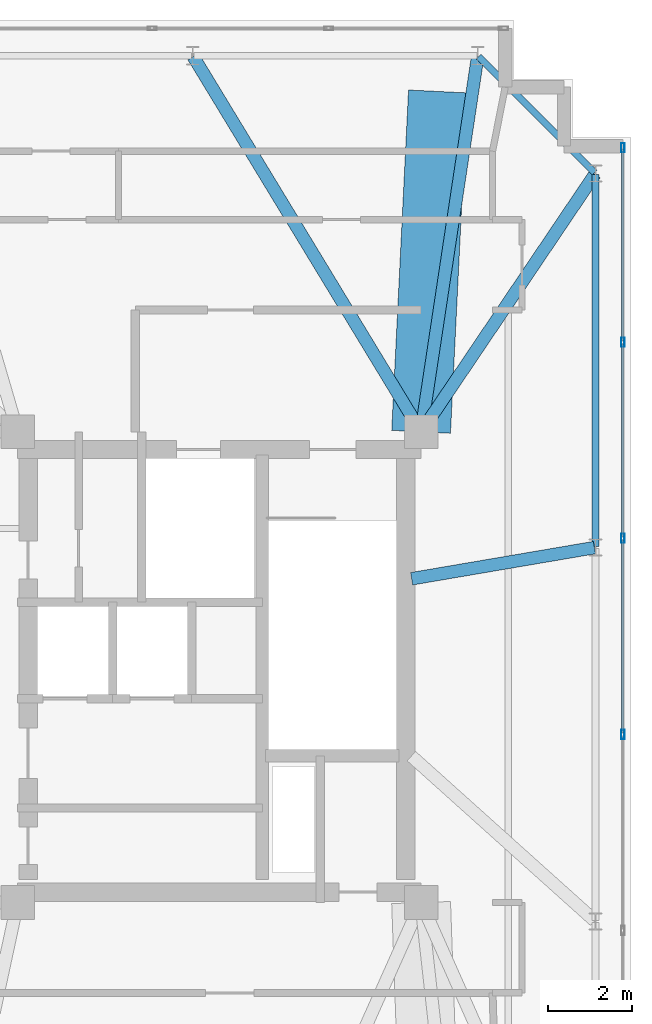
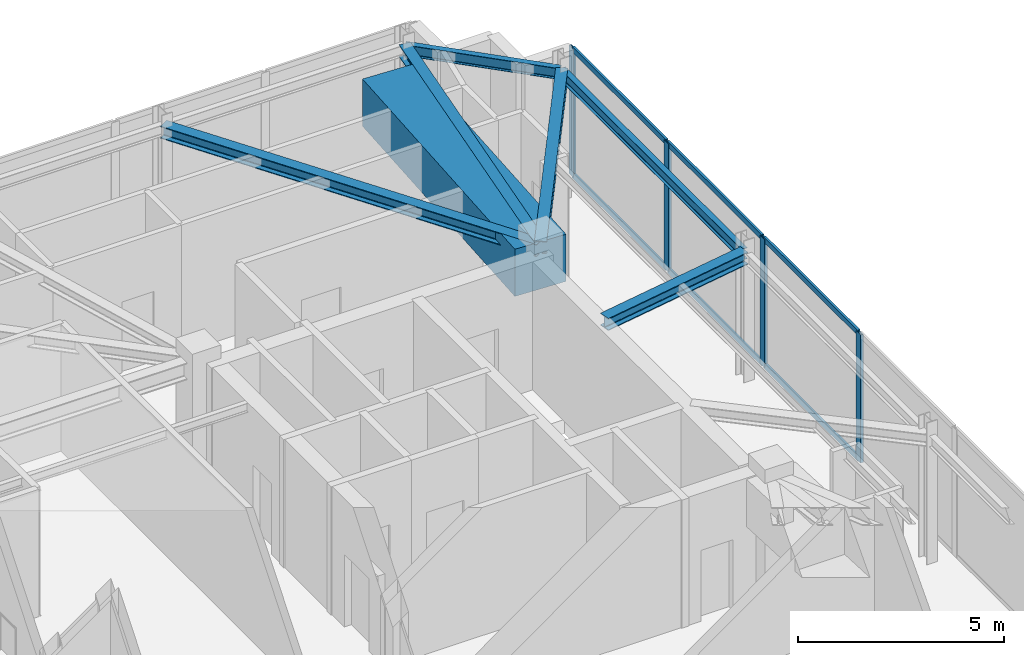
# One storey, part 17 of 27: 10 members, 7 beams, 1 element without a shape of its own.
"""IFC4 building model written with IfcOpenShell, lengths in metres."""

from ifc_helpers import new_model, si_unit, direction, frame, origin, origin_2d, place, context, subcontext, project, spatial, rectangle, hollow_rectangle, i_section, extrude, material, layer, layer_set, material_profile, profile_set, type_object, element, aggregate, save


model = new_model("IFC4")

# Units and contexts
model_context = context("Model", 3, precision=1e-05, world=origin(), true_north=direction((0.0, 1.0)))
body_context = subcontext(model_context, "Body", "Model", "MODEL_VIEW")
ifc_project = project(units=[si_unit("LENGTHUNIT", "METRE"), si_unit("AREAUNIT", "SQUARE_METRE"), si_unit("VOLUMEUNIT", "CUBIC_METRE"), si_unit("PLANEANGLEUNIT", "RADIAN"), si_unit("MASSUNIT", "GRAM", prefix="KILO")], contexts=[model_context])

# Site, building, storey
site_placement = place(None, origin())
site = spatial("IfcSite", under=ifc_project, at=site_placement, CompositionType="ELEMENT")
building_placement = place(site_placement, origin())
building = spatial("IfcBuilding", under=site, at=building_placement, Name="Qobustan Lattice House", CompositionType="ELEMENT")
storey_placement = place(building_placement, frame((0.0, 0.0, 266.0)))
storey = spatial("IfcBuildingStorey", under=building, at=storey_placement, Name="L75", CompositionType="ELEMENT", Elevation=266.0)

# Beams
ifc_material_1 = material(Name="Steel S355", Category="steel")
ifc_material_profile_1 = material_profile(ifc_material_1, i_section(OverallWidth=0.300048828125, OverallDepth=0.360107421875, WebThickness=0.012451171875, FlangeThickness=0.0224609375, FilletRadius=0.027099609375, at=origin_2d()), Name="HEB360")
ifc_profile_set_1 = profile_set([ifc_material_profile_1], Name="Steel S355")
beam_type_1 = type_object("IfcBeamType", Name="BM-FLG-HEB360", PredefinedType="USERDEFINED", material=ifc_profile_set_1)
beam_1_placement = place(storey_placement, frame((13.379638671875, 14.528564453125, 3.6201171875), z_axis=(0.518943895492, -0.854808302096, 0.0), x_axis=(0.854808302096, 0.518943895492, 0.0)))
element("IfcBeam", 1, at=beam_1_placement, inside=storey, type_object=beam_type_1, Name="L75 primary floor girder RAD-N2", ObjectType="GIRDER", PredefinedType="USERDEFINED", context=body_context, shape_type="SweptSolid", body=[
    extrude(i_section(OverallWidth=0.300048828125, OverallDepth=0.360107421875, WebThickness=0.012451171875, FlangeThickness=0.0224609375, FilletRadius=0.027099609375, at=origin_2d()), origin(), (0.0, 0.0, 1.0), 10.420166015625),
])
beam_2_placement = place(storey_placement, frame((20.146240234375, 14.525390625, 3.6201171875), z_axis=(-0.149148118249, -0.988814865798, 0.0), x_axis=(0.988814865798, -0.149148118249, 0.0)))
element("IfcBeam", 2, at=beam_2_placement, inside=storey, type_object=beam_type_1, Name="L75 primary floor girder RAD-N1E", ObjectType="GIRDER", PredefinedType="USERDEFINED", context=body_context, shape_type="SweptSolid", body=[
    extrude(i_section(OverallWidth=0.300048828125, OverallDepth=0.360107421875, WebThickness=0.012451171875, FlangeThickness=0.0224609375, FilletRadius=0.027099609375, at=origin_2d()), origin(), (0.0, 0.0, 1.0), 9.001220703125),
])
beam_3_placement = place(storey_placement, frame((22.93603515625, 11.729248046875, 3.6201171875), z_axis=(-0.559355068937, -0.828928167488, 0.0), x_axis=(0.828928167488, -0.559355068937, 0.0)))
element("IfcBeam", 3, at=beam_3_placement, inside=storey, type_object=beam_type_1, Name="L75 primary floor girder RAD-E4", ObjectType="GIRDER", PredefinedType="USERDEFINED", context=body_context, shape_type="SweptSolid", body=[
    extrude(i_section(OverallWidth=0.300048828125, OverallDepth=0.360107421875, WebThickness=0.012451171875, FlangeThickness=0.0224609375, FilletRadius=0.027099609375, at=origin_2d()), origin(), (0.0, 0.0, 1.0), 7.369384765625),
])
beam_4_placement = place(storey_placement, frame((22.92529296875, 2.845703125, 3.6201171875), z_axis=(-0.985786297247, -0.168004095664, 0.0), x_axis=(0.168004095664, -0.985786297247, 0.0)))
element("IfcBeam", 4, at=beam_4_placement, inside=storey, type_object=beam_type_1, Name="L75 primary floor girder RAD-E3", ObjectType="GIRDER", PredefinedType="USERDEFINED", context=body_context, shape_type="SweptSolid", body=[
    extrude(i_section(OverallWidth=0.300048828125, OverallDepth=0.360107421875, WebThickness=0.012451171875, FlangeThickness=0.0224609375, FilletRadius=0.027099609375, at=origin_2d()), origin(), (0.0, 0.0, 1.0), 4.413330078125),
])
ifc_material_2 = material(Name="Steel S355", Category="steel")
ifc_material_profile_2 = material_profile(ifc_material_2, i_section(OverallWidth=0.159912109375, OverallDepth=0.330078125, WebThickness=0.007568359375, FlangeThickness=0.011474609375, FilletRadius=0.01806640625, at=origin_2d()), Name="IPE330")
ifc_profile_set_2 = profile_set([ifc_material_profile_2], Name="Steel S355")
beam_type_2 = type_object("IfcBeamType", Name="BM-SPD-IPE330", PredefinedType="SPANDREL", material=ifc_profile_set_2)
beam_5_placement = place(storey_placement, frame((22.949951171875, 2.875, 3.635009765625), z_axis=(0.0, 1.0, 0.0), x_axis=(-1.0, 0.0, 0.0)))
element("IfcBeam", 5, at=beam_5_placement, inside=storey, type_object=beam_type_2, Name="L75 perimeter spandrel E3-E4", PredefinedType="SPANDREL", context=body_context, shape_type="SweptSolid", body=[
    extrude(i_section(OverallWidth=0.159912109375, OverallDepth=0.330078125, WebThickness=0.007568359375, FlangeThickness=0.011474609375, FilletRadius=0.01806640625, at=origin_2d()), origin(), (0.0, 0.0, 1.0), 8.85009765625),
])
beam_6_placement = place(storey_placement, frame((22.932373046875, 11.767578125, 3.635009765625), z_axis=(-0.707106781187, 0.707106781187, 0.0), x_axis=(-0.707106781187, -0.707106781187, 0.0)))
element("IfcBeam", 6, at=beam_6_placement, inside=storey, type_object=beam_type_2, Name="L75 perimeter spandrel E4-N1", PredefinedType="SPANDREL", context=body_context, shape_type="SweptSolid", body=[
    extrude(i_section(OverallWidth=0.159912109375, OverallDepth=0.330078125, WebThickness=0.007568359375, FlangeThickness=0.011474609375, FilletRadius=0.01806640625, at=origin_2d()), origin(), (0.0, 0.0, 1.0), 3.909912109375),
])
ifc_material_3 = material(Name="Concrete C60/75", Category="concrete")
ifc_material_profile_3 = material_profile(ifc_material_3, rectangle(XDim=1.39990234375, YDim=1.39990234375, at=origin_2d()), Name="RC1400x1400")
ifc_profile_set_3 = profile_set([ifc_material_profile_3], Name="Concrete C60/75")
beam_type_3 = type_object("IfcBeamType", Name="BM-TRG-RC1400", PredefinedType="USERDEFINED", material=ifc_profile_set_3)
beam_7_placement = place(storey_placement, frame((18.800048828125, 5.60009765625, 3.10009765625), z_axis=(0.049311489545, 0.998783448501, 0.0), x_axis=(-0.998783448501, 0.049311489545, 0.0)))
element("IfcBeam", 7, at=beam_7_placement, inside=storey, type_object=beam_type_3, Name="L75 crown base transfer girder 3", ObjectType="GIRDER", PredefinedType="USERDEFINED", context=body_context, shape_type="SweptSolid", body=[
    extrude(rectangle(XDim=1.39990234375, YDim=1.39990234375, at=origin_2d()), origin(), (0.0, 0.0, 1.0), 8.109619140625),
])

# Curtain wall, members
ifc_material_4 = material(Name="Anodised aluminium and low-E glazing", Category="aluminium")
ifc_layer = layer(ifc_material_4, 0.219970703125)
ifc_layer_set = layer_set([ifc_layer], Name="Anodised aluminium and low-E glazing")
curtain_wall_type = type_object("IfcCurtainWallType", Name="CW-OBS-01", PredefinedType="USERDEFINED", material=ifc_layer_set)
curtain_wall_placement = place(storey_placement, origin())
curtain_wall = element("IfcCurtainWall", 8, at=curtain_wall_placement, inside=storey, type_object=curtain_wall_type, Name="L75 E panoramic observation curtain wall", ObjectType="CURTAIN WALL", PredefinedType="USERDEFINED")
ifc_material_5 = material(Name="Anodised aluminium EN AW-6063 T6", Category="aluminium")
ifc_material_profile_4 = material_profile(ifc_material_5, hollow_rectangle(XDim=0.080078125, YDim=0.219970703125, WallThickness=0.0048828125, at=origin_2d()), Name="CWM-220x80")
ifc_profile_set_4 = profile_set([ifc_material_profile_4], Name="Anodised aluminium EN AW-6063 T6")
member_type_1 = type_object("IfcMemberType", Name="CWM-MAIN-220", PredefinedType="MULLION", material=ifc_profile_set_4)
member_1_placement = place(storey_placement, frame((23.60009765625, 12.360107421875, 0.0), z_axis=(0.0, 0.0, 1.0), x_axis=(1.0, 0.0, 0.0)))
member_1 = element("IfcMember", 9, at=member_1_placement, type_object=member_type_1, Name="CW-OB mullion 1", PredefinedType="MULLION", context=body_context, shape_type="SweptSolid", body=[
    extrude(hollow_rectangle(XDim=0.080078125, YDim=0.219970703125, WallThickness=0.0048828125, at=origin_2d()), origin(), (0.0, 0.0, 1.0), 3.800048828125),
])
member_2_placement = place(storey_placement, frame((23.60009765625, 7.7333984375, 0.0), z_axis=(0.0, 0.0, 1.0), x_axis=(1.0, 0.0, 0.0)))
member_2 = element("IfcMember", 10, at=member_2_placement, type_object=member_type_1, Name="CW-OB mullion 2", PredefinedType="MULLION", context=body_context, shape_type="SweptSolid", body=[
    extrude(hollow_rectangle(XDim=0.080078125, YDim=0.219970703125, WallThickness=0.0048828125, at=origin_2d()), origin(), (0.0, 0.0, 1.0), 3.800048828125),
])
member_3_placement = place(storey_placement, frame((23.60009765625, 3.066650390625, 0.0), z_axis=(0.0, 0.0, 1.0), x_axis=(1.0, 0.0, 0.0)))
member_3 = element("IfcMember", 11, at=member_3_placement, type_object=member_type_1, Name="CW-OB mullion 3", PredefinedType="MULLION", context=body_context, shape_type="SweptSolid", body=[
    extrude(hollow_rectangle(XDim=0.080078125, YDim=0.219970703125, WallThickness=0.0048828125, at=origin_2d()), origin(), (0.0, 0.0, 1.0), 3.800048828125),
])
member_4_placement = place(storey_placement, frame((23.60009765625, -1.60009765625, 0.0), z_axis=(0.0, 0.0, 1.0), x_axis=(1.0, 0.0, 0.0)))
member_4 = element("IfcMember", 12, at=member_4_placement, type_object=member_type_1, Name="CW-OB mullion 4", PredefinedType="MULLION", context=body_context, shape_type="SweptSolid", body=[
    extrude(hollow_rectangle(XDim=0.080078125, YDim=0.219970703125, WallThickness=0.0048828125, at=origin_2d()), origin(), (0.0, 0.0, 1.0), 3.800048828125),
])
ifc_material_6 = material(Name="Anodised aluminium EN AW-6063 T6", Category="aluminium")
ifc_material_profile_5 = material_profile(ifc_material_6, hollow_rectangle(XDim=0.06494140625, YDim=0.159912109375, WallThickness=0.00390625, at=origin_2d()), Name="CWT-160x65")
ifc_profile_set_5 = profile_set([ifc_material_profile_5], Name="Anodised aluminium EN AW-6063 T6")
member_type_2 = type_object("IfcMemberType", Name="CWT-HOR-160", PredefinedType="USERDEFINED", material=ifc_profile_set_5)
member_5_placement = place(storey_placement, frame((23.60009765625, 12.320068359375, 0.032470703125), z_axis=(0.0, -1.0, 0.0), x_axis=(1.0, 0.0, 0.0)))
member_5 = element("IfcMember", 13, at=member_5_placement, type_object=member_type_2, Name="CW-OB transom 1.1", ObjectType="TRANSOM", PredefinedType="USERDEFINED", context=body_context, shape_type="SweptSolid", body=[
    extrude(hollow_rectangle(XDim=0.06494140625, YDim=0.159912109375, WallThickness=0.00390625, at=origin_2d()), origin(), (0.0, 0.0, 1.0), 4.546630859375),
])
member_6_placement = place(storey_placement, frame((23.60009765625, 12.320068359375, 3.767578125), z_axis=(0.0, -1.0, 0.0), x_axis=(1.0, 0.0, 0.0)))
member_6 = element("IfcMember", 14, at=member_6_placement, type_object=member_type_2, Name="CW-OB transom 1.2", ObjectType="TRANSOM", PredefinedType="USERDEFINED", context=body_context, shape_type="SweptSolid", body=[
    extrude(hollow_rectangle(XDim=0.06494140625, YDim=0.159912109375, WallThickness=0.00390625, at=origin_2d()), origin(), (0.0, 0.0, 1.0), 4.546630859375),
])
member_7_placement = place(storey_placement, frame((23.60009765625, 7.693359375, 0.032470703125), z_axis=(0.0, -1.0, 0.0), x_axis=(1.0, 0.0, 0.0)))
member_7 = element("IfcMember", 15, at=member_7_placement, type_object=member_type_2, Name="CW-OB transom 2.1", ObjectType="TRANSOM", PredefinedType="USERDEFINED", context=body_context, shape_type="SweptSolid", body=[
    extrude(hollow_rectangle(XDim=0.06494140625, YDim=0.159912109375, WallThickness=0.00390625, at=origin_2d()), origin(), (0.0, 0.0, 1.0), 4.586669921875),
])
member_8_placement = place(storey_placement, frame((23.60009765625, 7.693359375, 3.767578125), z_axis=(0.0, -1.0, 0.0), x_axis=(1.0, 0.0, 0.0)))
member_8 = element("IfcMember", 16, at=member_8_placement, type_object=member_type_2, Name="CW-OB transom 2.2", ObjectType="TRANSOM", PredefinedType="USERDEFINED", context=body_context, shape_type="SweptSolid", body=[
    extrude(hollow_rectangle(XDim=0.06494140625, YDim=0.159912109375, WallThickness=0.00390625, at=origin_2d()), origin(), (0.0, 0.0, 1.0), 4.586669921875),
])
member_9_placement = place(storey_placement, frame((23.60009765625, 3.026611328125, 0.032470703125), z_axis=(0.0, -1.0, 0.0), x_axis=(1.0, 0.0, 0.0)))
member_9 = element("IfcMember", 17, at=member_9_placement, type_object=member_type_2, Name="CW-OB transom 3.1", ObjectType="TRANSOM", PredefinedType="USERDEFINED", context=body_context, shape_type="SweptSolid", body=[
    extrude(hollow_rectangle(XDim=0.06494140625, YDim=0.159912109375, WallThickness=0.00390625, at=origin_2d()), origin(), (0.0, 0.0, 1.0), 4.586669921875),
])
member_10_placement = place(storey_placement, frame((23.60009765625, 3.026611328125, 3.767578125), z_axis=(0.0, -1.0, 0.0), x_axis=(1.0, 0.0, 0.0)))
member_10 = element("IfcMember", 18, at=member_10_placement, type_object=member_type_2, Name="CW-OB transom 3.2", ObjectType="TRANSOM", PredefinedType="USERDEFINED", context=body_context, shape_type="SweptSolid", body=[
    extrude(hollow_rectangle(XDim=0.06494140625, YDim=0.159912109375, WallThickness=0.00390625, at=origin_2d()), origin(), (0.0, 0.0, 1.0), 4.586669921875),
])
aggregate(curtain_wall, [member_1, member_2, member_3, member_4, member_5, member_6, member_7, member_8, member_9, member_10])

save(model, "model.ifc")
